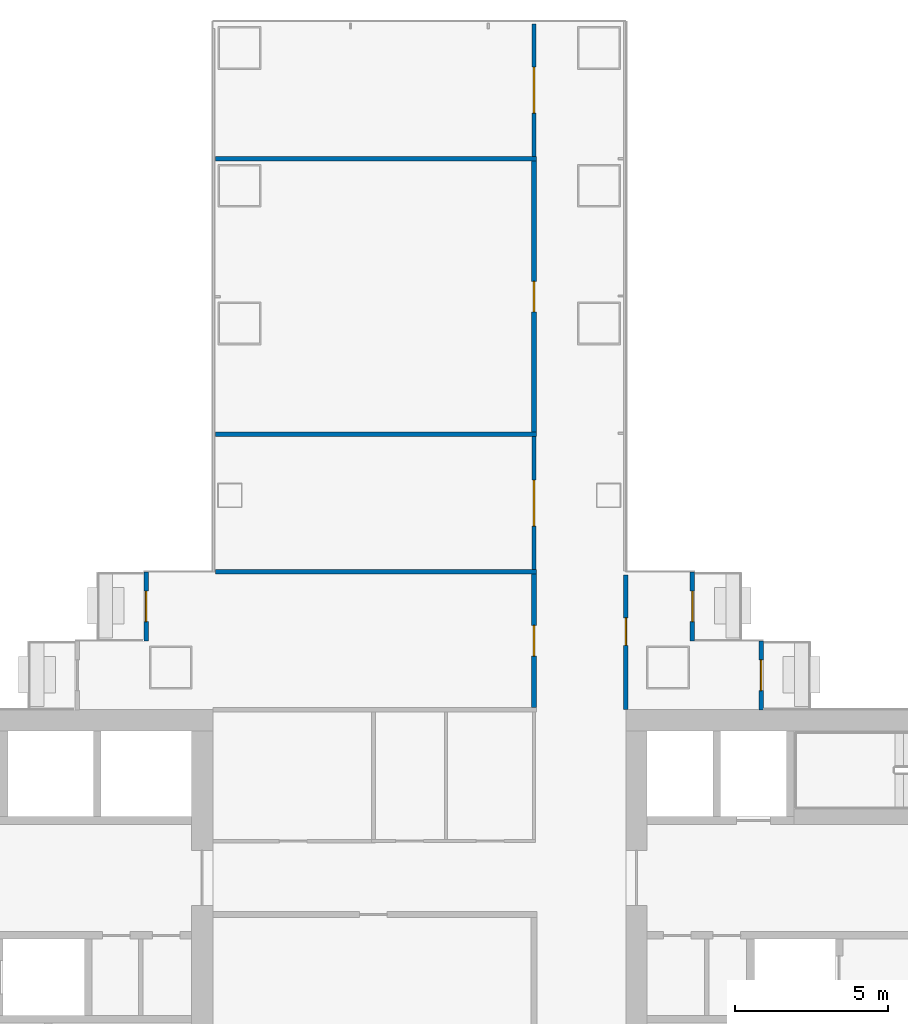
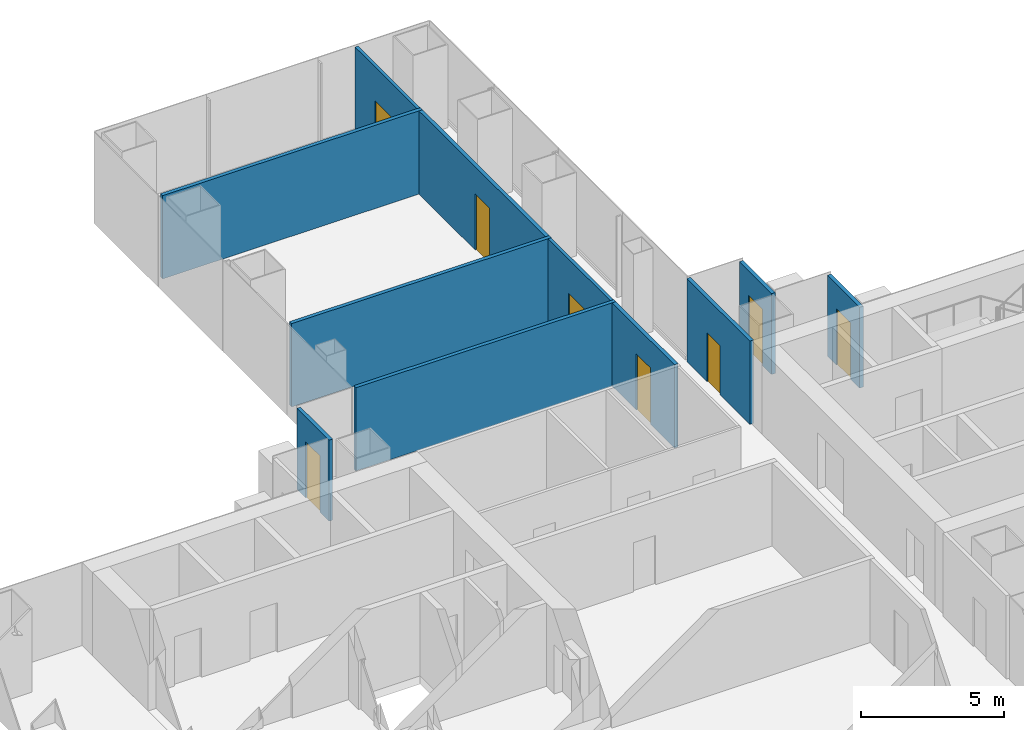
# One storey, part 17 of 21: 11 walls, 8 doors, 8 openings.
"""IFC4 building model written with IfcOpenShell, lengths in metres."""

from ifc_helpers import new_model, si_unit, direction, frame, frame_2d, origin, place, context, subcontext, project, spatial, rectangle, extrude, material, layer, layer_set, type_object, element, fill, save


model = new_model("IFC4")

# Units and contexts
model_context = context("Model", 3, precision=1e-05, world=origin(), true_north=direction((0.0, 1.0)))
body_context = subcontext(model_context, "Body", "Model", "MODEL_VIEW")
ifc_project = project(units=[si_unit("LENGTHUNIT", "METRE"), si_unit("AREAUNIT", "SQUARE_METRE"), si_unit("VOLUMEUNIT", "CUBIC_METRE"), si_unit("PLANEANGLEUNIT", "RADIAN"), si_unit("MASSUNIT", "GRAM", prefix="KILO")], contexts=[model_context])

# Site, building, storey
site_placement = place(None, origin())
site = spatial("IfcSite", under=ifc_project, at=site_placement, CompositionType="ELEMENT")
building_placement = place(site_placement, origin())
building = spatial("IfcBuilding", under=site, at=building_placement, Name="Shamsa Quay Exchange Towers", CompositionType="ELEMENT")
storey_placement = place(building_placement, frame((0.0, 0.0, 53.699951171875)))
storey = spatial("IfcBuildingStorey", under=building, at=storey_placement, Name="L11", CompositionType="ELEMENT", Elevation=53.699951171875)

# Wall, opening, door
ifc_material_1 = material(Name="Aluminium EN AW-6063 T6, black anodised, with black enamelled glass infill", Category="aluminium")
ifc_layer_1 = layer(ifc_material_1, 0.14990234375)
ifc_layer_set_1 = layer_set([ifc_layer_1], Name="BALCONY DOOR BAY WALL 150")
wall_type_1 = type_object("IfcWallType", Name="BALCONY DOOR BAY WALL 150", PredefinedType="SOLIDWALL", material=ifc_layer_set_1)
wall_1_placement = place(storey_placement, frame((24.824951171875, 9.0, 0.0), z_axis=(0.0, 0.0, 1.0), x_axis=(0.0, 1.0, 0.0)))
wall_1 = element("IfcWall", 1, at=wall_1_placement, inside=storey, type_object=wall_type_1, Name="Door bay T2-PKEN L11", PredefinedType="SOLIDWALL", context=body_context, shape_type="SweptSolid", body=[
    extrude(rectangle(XDim=2.25, YDim=0.14990234375, at=frame_2d((1.125, 0.0))), origin(), (0.0, 0.0, 1.0), 3.449951171875),
])
opening_1_placement = place(wall_1_placement, frame((0.625, 0.0, 0.0)))
opening_1 = element("IfcOpeningElement", 2, at=opening_1_placement, cuts=wall_1, Name="Opening XD065", PredefinedType="OPENING", context=body_context, shape_type="SweptSolid", body=[
    extrude(rectangle(XDim=1.0, YDim=2.39990234375, at=frame_2d((0.5, 1.199951171875))), frame((0.0, 0.0849609375, 0.0), z_axis=(0.0, -1.0, 0.0), x_axis=(1.0, 0.0, 0.0)), (0.0, 0.0, 1.0), 0.169921875),
])
ifc_material_2 = material(Name="Aluminium EN AW-6063 T6, black anodised, with laminated glass leaf", Category="aluminium")
door_type_1 = type_object("IfcDoorType", Name="BALCONY DOOR 1000x2400", OperationType="SINGLE_SWING_LEFT", PredefinedType="DOOR", material=ifc_material_2)
door_1_placement = place(opening_1_placement, origin())
door_1 = element("IfcDoor", 3, at=door_1_placement, inside=storey, type_object=door_type_1, Name="Balcony door T2-PKEN L11", OperationType="SINGLE_SWING_RIGHT", OverallHeight=2.39990234375, OverallWidth=1.0, PredefinedType="DOOR", context=body_context, shape_type="SweptSolid", body=[
    extrude(rectangle(XDim=1.0, YDim=2.39990234375, at=frame_2d((0.5, 1.199951171875))), frame((0.0, 0.02490234375, 0.0), z_axis=(0.0, -1.0, 0.0), x_axis=(1.0, 0.0, 0.0)), (0.0, 0.0, 1.0), 0.050048828125),
])
fill(opening_1, door_1)

wall_2_placement = place(storey_placement, frame((42.675048828125, 11.25, 0.0), z_axis=(0.0, 0.0, 1.0), x_axis=(0.0, -1.0, 0.0)))
wall_2 = element("IfcWall", 4, at=wall_2_placement, inside=storey, type_object=wall_type_1, Name="Door bay T2-PKES L11", PredefinedType="SOLIDWALL", context=body_context, shape_type="SweptSolid", body=[
    extrude(rectangle(XDim=2.25, YDim=0.14990234375, at=frame_2d((1.125, 0.0))), origin(), (0.0, 0.0, 1.0), 3.449951171875),
])
opening_2_placement = place(wall_2_placement, frame((0.625, 0.0, 0.0)))
opening_2 = element("IfcOpeningElement", 5, at=opening_2_placement, cuts=wall_2, Name="Opening XD067", PredefinedType="OPENING", context=body_context, shape_type="SweptSolid", body=[
    extrude(rectangle(XDim=1.0, YDim=2.39990234375, at=frame_2d((0.5, 1.199951171875))), frame((0.0, 0.0849609375, 0.0), z_axis=(0.0, -1.0, 0.0), x_axis=(1.0, 0.0, 0.0)), (0.0, 0.0, 1.0), 0.169921875),
])
door_2_placement = place(opening_2_placement, origin())
door_2 = element("IfcDoor", 6, at=door_2_placement, inside=storey, type_object=door_type_1, Name="Balcony door T2-PKES L11", OperationType="SINGLE_SWING_RIGHT", OverallHeight=2.39990234375, OverallWidth=1.0, PredefinedType="DOOR", context=body_context, shape_type="SweptSolid", body=[
    extrude(rectangle(XDim=1.0, YDim=2.39990234375, at=frame_2d((0.5, 1.199951171875))), frame((0.0, 0.02490234375, 0.0), z_axis=(0.0, -1.0, 0.0), x_axis=(1.0, 0.0, 0.0)), (0.0, 0.0, 1.0), 0.050048828125),
])
fill(opening_2, door_2)

wall_3_placement = place(storey_placement, frame((44.925048828125, 9.0, 0.0), z_axis=(0.0, 0.0, 1.0), x_axis=(0.0, -1.0, 0.0)))
wall_3 = element("IfcWall", 7, at=wall_3_placement, inside=storey, type_object=wall_type_1, Name="Door bay T2-PKES L11", PredefinedType="SOLIDWALL", context=body_context, shape_type="SweptSolid", body=[
    extrude(rectangle(XDim=2.257080078125, YDim=0.14990234375, at=frame_2d((1.12841796875, 0.0))), origin(), (0.0, 0.0, 1.0), 3.449951171875),
])
opening_3_placement = place(wall_3_placement, frame((0.625, 0.0, 0.0)))
opening_3 = element("IfcOpeningElement", 8, at=opening_3_placement, cuts=wall_3, Name="Opening XD068", PredefinedType="OPENING", context=body_context, shape_type="SweptSolid", body=[
    extrude(rectangle(XDim=1.0, YDim=2.39990234375, at=frame_2d((0.5, 1.199951171875))), frame((0.0, 0.0849609375, 0.0), z_axis=(0.0, -1.0, 0.0), x_axis=(1.0, 0.0, 0.0)), (0.0, 0.0, 1.0), 0.169921875),
])
door_3_placement = place(opening_3_placement, origin())
door_3 = element("IfcDoor", 9, at=door_3_placement, inside=storey, type_object=door_type_1, Name="Balcony door T2-PKES L11", OperationType="SINGLE_SWING_LEFT", OverallHeight=2.39990234375, OverallWidth=1.0, PredefinedType="DOOR", context=body_context, shape_type="SweptSolid", body=[
    extrude(rectangle(XDim=1.0, YDim=2.39990234375, at=frame_2d((0.5, 1.199951171875))), frame((0.0, 0.02490234375, 0.0), z_axis=(0.0, -1.0, 0.0), x_axis=(1.0, 0.0, 0.0)), (0.0, 0.0, 1.0), 0.050048828125),
])
fill(opening_3, door_3)

ifc_material_3 = material(Name="Laminated fire-resisting glass in a metal frame", Category="glass")
ifc_layer_2 = layer(ifc_material_3, 0.125)
ifc_layer_set_2 = layer_set([ifc_layer_2], Name="Glazed partition 125 mm EI 60")
wall_type_2 = type_object("IfcWallType", Name="Glazed partition 125 mm EI 60", PredefinedType="PARTITIONING", material=ifc_layer_set_2)
wall_4_placement = place(storey_placement, frame((37.5, 24.824951171875, 0.0), z_axis=(0.0, 0.0, 1.0), x_axis=(0.0, 1.0, 0.0)))
wall_4 = element("IfcWall", 10, at=wall_4_placement, inside=storey, type_object=wall_type_2, Name="Partition T2-R04-W05", PredefinedType="PARTITIONING", context=body_context, shape_type="SweptSolid", body=[
    extrude(rectangle(XDim=4.330078125, YDim=0.125, at=frame_2d((2.1650390625, 0.0))), origin(), (0.0, 0.0, 1.0), 3.550048828125),
])
opening_4_placement = place(wall_4_placement, frame((1.425048828125, 0.0, 0.0)))
opening_4 = element("IfcOpeningElement", 11, at=opening_4_placement, cuts=wall_4, Name="Opening T2-R04-D14", PredefinedType="OPENING", context=body_context, shape_type="SweptSolid", body=[
    extrude(rectangle(XDim=1.5, YDim=2.10009765625, at=frame_2d((0.75, 1.050048828125))), frame((0.0, 0.072509765625, 0.0), z_axis=(0.0, -1.0, 0.0), x_axis=(1.0, 0.0, 0.0)), (0.0, 0.0, 1.0), 0.14501953125),
])
ifc_material_4 = material(Name="Timber door leaf in a metal frame", Category="wood")
door_type_2 = type_object("IfcDoorType", Name="Door 1500x2100 FD30S pair", OperationType="NOTDEFINED", PredefinedType="DOOR", material=ifc_material_4)
door_4_placement = place(opening_4_placement, origin())
door_4 = element("IfcDoor", 12, at=door_4_placement, inside=storey, type_object=door_type_2, Name="Door T2-R04-D14", OperationType="DOUBLE_DOOR_SINGLE_SWING", OverallHeight=2.10009765625, OverallWidth=1.5, PredefinedType="DOOR", context=body_context, shape_type="SweptSolid", body=[
    extrude(rectangle(XDim=1.5, YDim=2.10009765625, at=frame_2d((0.75, 1.050048828125))), frame((0.0, 0.02490234375, 0.0), z_axis=(0.0, -1.0, 0.0), x_axis=(1.0, 0.0, 0.0)), (0.0, 0.0, 1.0), 0.050048828125),
])
fill(opening_4, door_4)

wall_5_placement = place(storey_placement, frame((37.5, 11.324951171875, 0.0), z_axis=(0.0, 0.0, 1.0), x_axis=(0.0, 1.0, 0.0)))
wall_5 = element("IfcWall", 13, at=wall_5_placement, inside=storey, type_object=wall_type_2, Name="Partition T2-R04-W06", PredefinedType="PARTITIONING", context=body_context, shape_type="SweptSolid", body=[
    extrude(rectangle(XDim=4.35009765625, YDim=0.125, at=frame_2d((2.175048828125, 0.0))), origin(), (0.0, 0.0, 1.0), 3.550048828125),
])
opening_5_placement = place(wall_5_placement, frame((1.425048828125, 0.0, 0.0)))
opening_5 = element("IfcOpeningElement", 14, at=opening_5_placement, cuts=wall_5, Name="Opening T2-R04-D12", PredefinedType="OPENING", context=body_context, shape_type="SweptSolid", body=[
    extrude(rectangle(XDim=1.5, YDim=2.10009765625, at=frame_2d((0.75, 1.050048828125))), frame((0.0, 0.072509765625, 0.0), z_axis=(0.0, -1.0, 0.0), x_axis=(1.0, 0.0, 0.0)), (0.0, 0.0, 1.0), 0.14501953125),
])
door_5_placement = place(opening_5_placement, origin())
door_5 = element("IfcDoor", 15, at=door_5_placement, inside=storey, type_object=door_type_2, Name="Door T2-R04-D12", OperationType="DOUBLE_DOOR_SINGLE_SWING", OverallHeight=2.10009765625, OverallWidth=1.5, PredefinedType="DOOR", context=body_context, shape_type="SweptSolid", body=[
    extrude(rectangle(XDim=1.5, YDim=2.10009765625, at=frame_2d((0.75, 1.050048828125))), frame((0.0, 0.02490234375, 0.0), z_axis=(0.0, -1.0, 0.0), x_axis=(1.0, 0.0, 0.0)), (0.0, 0.0, 1.0), 0.050048828125),
])
fill(opening_5, door_5)

ifc_material_5 = material(Name="Gypsum board partition on metal studs")
ifc_layer_3 = layer(ifc_material_5, 0.14990234375)
ifc_layer_set_3 = layer_set([ifc_layer_3], Name="Partition 150 mm EI 60")
wall_type_3 = type_object("IfcWallType", Name="Partition 150 mm EI 60", PredefinedType="PARTITIONING", material=ifc_layer_set_3)
wall_6_placement = place(storey_placement, frame((37.5, 15.824951171875, 0.0), z_axis=(0.0, 0.0, 1.0), x_axis=(0.0, 1.0, 0.0)))
wall_6 = element("IfcWall", 16, at=wall_6_placement, inside=storey, type_object=wall_type_3, Name="Partition T2-R04-W01", PredefinedType="PARTITIONING", context=body_context, shape_type="SweptSolid", body=[
    extrude(rectangle(XDim=8.85009765625, YDim=0.14990234375, at=frame_2d((4.425048828125, 0.0))), origin(), (0.0, 0.0, 1.0), 3.550048828125),
])
opening_6_placement = place(wall_6_placement, frame((3.925048828125, 0.0, 0.0)))
opening_6 = element("IfcOpeningElement", 17, at=opening_6_placement, cuts=wall_6, Name="Opening T2-R04-D13", PredefinedType="OPENING", context=body_context, shape_type="SweptSolid", body=[
    extrude(rectangle(XDim=1.0, YDim=2.39990234375, at=frame_2d((0.5, 1.199951171875))), frame((0.0, 0.0849609375, 0.0), z_axis=(0.0, -1.0, 0.0), x_axis=(1.0, 0.0, 0.0)), (0.0, 0.0, 1.0), 0.169921875),
])
door_type_3 = type_object("IfcDoorType", Name="Door 1000x2400 FD30S", OperationType="NOTDEFINED", PredefinedType="DOOR", material=ifc_material_4)
door_6_placement = place(opening_6_placement, origin())
door_6 = element("IfcDoor", 18, at=door_6_placement, inside=storey, type_object=door_type_3, Name="Door T2-R04-D13", OperationType="SINGLE_SWING_RIGHT", OverallHeight=2.39990234375, OverallWidth=1.0, PredefinedType="DOOR", context=body_context, shape_type="SweptSolid", body=[
    extrude(rectangle(XDim=1.0, YDim=2.39990234375, at=frame_2d((0.5, 1.199951171875))), frame((0.0, 0.02490234375, 0.0), z_axis=(0.0, -1.0, 0.0), x_axis=(1.0, 0.0, 0.0)), (0.0, 0.0, 1.0), 0.050048828125),
])
fill(opening_6, door_6)

wall_7_placement = place(storey_placement, frame((37.5, 6.824951171875, 0.0), z_axis=(0.0, 0.0, 1.0), x_axis=(0.0, 1.0, 0.0)))
wall_7 = element("IfcWall", 19, at=wall_7_placement, inside=storey, type_object=wall_type_3, Name="Partition T2-R04-W02", PredefinedType="PARTITIONING", context=body_context, shape_type="SweptSolid", body=[
    extrude(rectangle(XDim=4.35009765625, YDim=0.14990234375, at=frame_2d((2.175048828125, 0.0))), origin(), (0.0, 0.0, 1.0), 3.550048828125),
])
opening_7_placement = place(wall_7_placement, frame((1.675048828125, 0.0, 0.0)))
opening_7 = element("IfcOpeningElement", 20, at=opening_7_placement, cuts=wall_7, Name="Opening T2-R04-D11", PredefinedType="OPENING", context=body_context, shape_type="SweptSolid", body=[
    extrude(rectangle(XDim=1.0, YDim=2.39990234375, at=frame_2d((0.5, 1.199951171875))), frame((0.0, 0.0849609375, 0.0), z_axis=(0.0, -1.0, 0.0), x_axis=(1.0, 0.0, 0.0)), (0.0, 0.0, 1.0), 0.169921875),
])
door_7_placement = place(opening_7_placement, origin())
door_7 = element("IfcDoor", 21, at=door_7_placement, inside=storey, type_object=door_type_3, Name="Door T2-R04-D11", OperationType="SINGLE_SWING_RIGHT", OverallHeight=2.39990234375, OverallWidth=1.0, PredefinedType="DOOR", context=body_context, shape_type="SweptSolid", body=[
    extrude(rectangle(XDim=1.0, YDim=2.39990234375, at=frame_2d((0.5, 1.199951171875))), frame((0.0, 0.02490234375, 0.0), z_axis=(0.0, -1.0, 0.0), x_axis=(1.0, 0.0, 0.0)), (0.0, 0.0, 1.0), 0.050048828125),
])
fill(opening_7, door_7)

wall_8_placement = place(storey_placement, frame((40.5, 11.155029296875, 0.0), z_axis=(0.0, 0.0, 1.0), x_axis=(0.0, -1.0, 0.0)))
wall_8 = element("IfcWall", 22, at=wall_8_placement, inside=storey, type_object=wall_type_3, Name="Partition T2-R04-W14", PredefinedType="PARTITIONING", context=body_context, shape_type="SweptSolid", body=[
    extrude(rectangle(XDim=4.405029296875, YDim=0.14990234375, at=frame_2d((2.20263671875, 0.0))), origin(), (0.0, 0.0, 1.0), 3.550048828125),
])
opening_8_placement = place(wall_8_placement, frame((1.405029296875, 0.0, 0.0)))
opening_8 = element("IfcOpeningElement", 23, at=opening_8_placement, cuts=wall_8, Name="Opening T2-R04-D04", PredefinedType="OPENING", context=body_context, shape_type="SweptSolid", body=[
    extrude(rectangle(XDim=0.89990234375, YDim=2.10009765625, at=frame_2d((0.449951171875, 1.050048828125))), frame((0.0, 0.0849609375, 0.0), z_axis=(0.0, -1.0, 0.0), x_axis=(1.0, 0.0, 0.0)), (0.0, 0.0, 1.0), 0.169921875),
])
door_type_4 = type_object("IfcDoorType", Name="Door 900x2100 FD30S", OperationType="NOTDEFINED", PredefinedType="DOOR", material=ifc_material_4)
door_8_placement = place(opening_8_placement, origin())
door_8 = element("IfcDoor", 24, at=door_8_placement, inside=storey, type_object=door_type_4, Name="Door T2-R04-D04", OperationType="SINGLE_SWING_LEFT", OverallHeight=2.10009765625, OverallWidth=0.89990234375, PredefinedType="DOOR", context=body_context, shape_type="SweptSolid", body=[
    extrude(rectangle(XDim=0.89990234375, YDim=2.10009765625, at=frame_2d((0.449951171875, 1.050048828125))), frame((0.0, 0.02490234375, 0.0), z_axis=(0.0, -1.0, 0.0), x_axis=(1.0, 0.0, 0.0)), (0.0, 0.0, 1.0), 0.050048828125),
])
fill(opening_8, door_8)

# Walls
for number, where, z_axis, x_axis, name in (
    (25, (37.574951171875, 11.25, 0.0), (0.0, 0.0, 1.0), (-1.0, 0.0, 0.0), "Partition T2-R04-W17"),
    (26, (37.574951171875, 15.75, 0.0), (0.0, 0.0, 1.0), (-1.0, 0.0, 0.0), "Partition T2-R04-W19"),
    (27, (37.574951171875, 24.75, 0.0), (0.0, 0.0, 1.0), (-1.0, 0.0, 0.0), "Partition T2-R04-W20"),
):
    element("IfcWall", number, at=place(storey_placement, frame(where, z_axis=z_axis, x_axis=x_axis)), inside=storey, type_object=wall_type_3, Name=name, PredefinedType="PARTITIONING", context=body_context, shape_type="SweptSolid", body=[
        extrude(rectangle(XDim=10.47998046875, YDim=0.14990234375, at=frame_2d((5.239990234375, 0.0))), origin(), (0.0, 0.0, 1.0), 3.550048828125),
    ])

save(model, "model.ifc")
